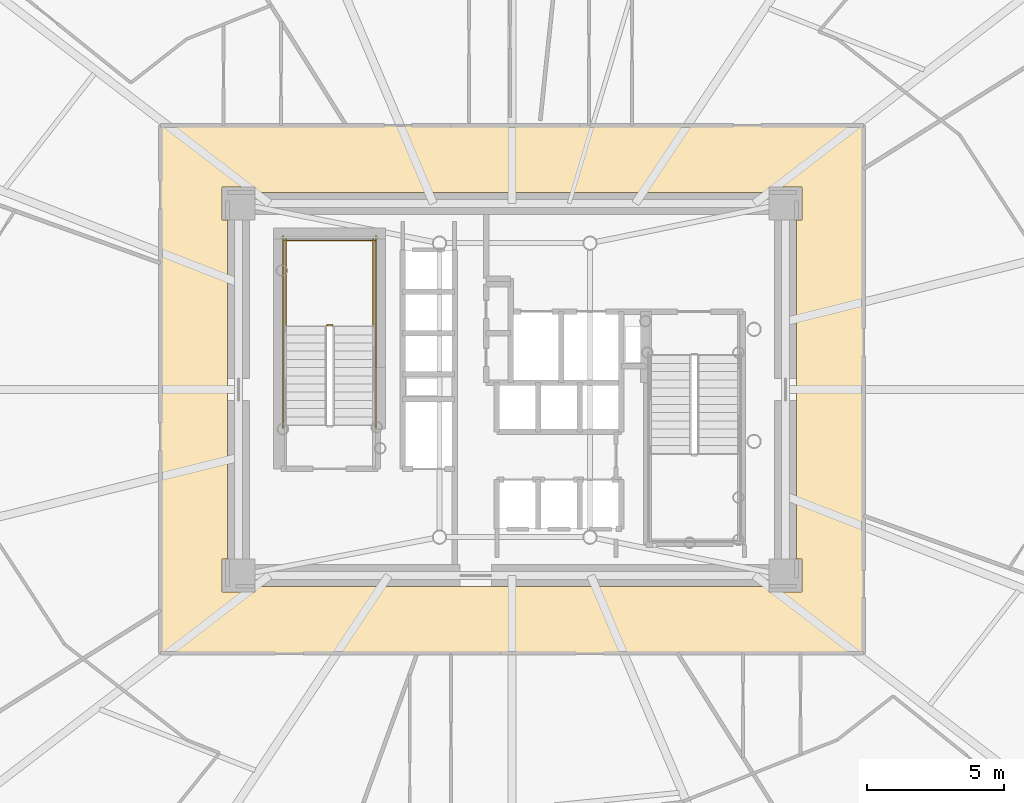
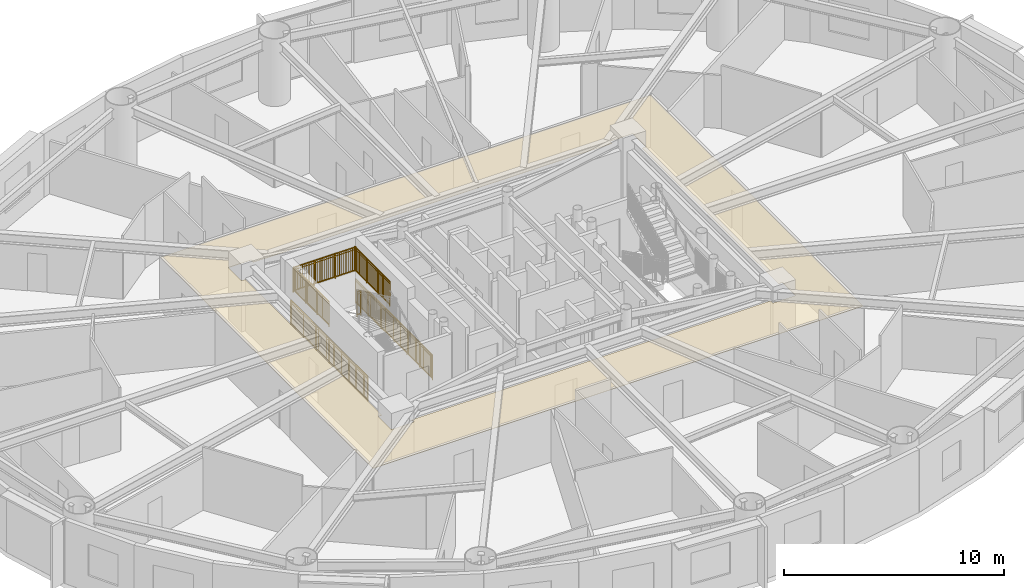
# One storey, part 15 of 18: 6 railings, 1 covering.
"""IFC4 building model written with IfcOpenShell, lengths in metres."""

from ifc_helpers import new_model, si_unit, direction, frame, origin, origin_2d, place, context, subcontext, project, spatial, polyline, rectangle, outline, extrude, source, transform, mapped, material, layer, layer_set, type_object, element, save


model = new_model("IFC4")

# Units and contexts
model_context = context("Model", 3, precision=1e-05, world=origin(), true_north=direction((0.0, 1.0)))
body_context = subcontext(model_context, "Body", "Model", "MODEL_VIEW")
ifc_project = project(units=[si_unit("LENGTHUNIT", "METRE"), si_unit("AREAUNIT", "SQUARE_METRE"), si_unit("VOLUMEUNIT", "CUBIC_METRE"), si_unit("PLANEANGLEUNIT", "RADIAN"), si_unit("MASSUNIT", "GRAM", prefix="KILO")], contexts=[model_context])

# Site, building, storey
site_placement = place(None, origin())
site = spatial("IfcSite", under=ifc_project, at=site_placement, CompositionType="ELEMENT")
building_placement = place(site_placement, origin())
building = spatial("IfcBuilding", under=site, at=building_placement, Name="Linh Dai School and Residence Tower", CompositionType="ELEMENT")
storey_placement = place(building_placement, frame((0.0, 0.0, 123.449951171875)))
storey = spatial("IfcBuildingStorey", under=building, at=storey_placement, Name="L29", CompositionType="ELEMENT", Elevation=123.449951171875)

# Covering
ifc_material_1 = material(Name="Mineral Fibre Acoustic Suspended Ceiling", Category="masonry")
ifc_layer = layer(ifc_material_1, 0.02001953125)
ifc_layer_set = layer_set([ifc_layer], Name="Mineral Fibre Acoustic Suspended Ceiling")
covering_type = type_object("IfcCoveringType", Name="COV-CEIL-AC-20", PredefinedType="CEILING", material=ifc_layer_set)
covering_placement = place(storey_placement, frame((0.0, 0.0, 2.85009765625)))
element("IfcCovering", 1, at=covering_placement, inside=storey, type_object=covering_type, Name="L29 Residential Floor Corridor Suspended Ceiling", PredefinedType="CEILING", context=body_context, shape_type="SweptSolid", body=[
    extrude(outline(polyline([(48.85009765625, 36.64990234375), (48.85009765625, 17.35009765625), (23.14990234375, 17.35009765625), (23.14990234375, 36.64990234375), (48.85009765625, 36.64990234375)]), holes=[polyline([(26.60009765625, 34.199951171875), (26.60009765625, 34.39990234375), (25.39990234375, 34.39990234375), (25.39990234375, 33.199951171875), (25.60009765625, 33.199951171875), (25.60009765625, 20.800048828125), (25.39990234375, 20.800048828125), (25.39990234375, 19.60009765625), (26.60009765625, 19.60009765625), (26.60009765625, 19.800048828125), (45.39990234375, 19.800048828125), (45.39990234375, 19.60009765625), (46.60009765625, 19.60009765625), (46.60009765625, 20.800048828125), (46.39990234375, 20.800048828125), (46.39990234375, 33.199951171875), (46.60009765625, 33.199951171875), (46.60009765625, 34.39990234375), (45.39990234375, 34.39990234375), (45.39990234375, 34.199951171875), (26.60009765625, 34.199951171875)])]), origin(), (0.0, 0.0, 1.0), 0.02001953125),
])

# Railings
ifc_material_2 = material(Name="Structural Steel S355JR", Category="steel")
railing_type = type_object("IfcRailingType", Name="RL-ST-GUARD-1400", PredefinedType="GUARDRAIL", material=ifc_material_2)
shared_shape_1 = source(origin(), body_context, "Body", "SweptSolid", [
    extrude(rectangle(XDim=0.048095703125, YDim=0.048095703125, at=origin_2d()), frame((0.0, 0.0, 1.3759765625), z_axis=(-1.0, 0.0, 0.0), x_axis=(0.0, -1.0, 0.0)), (0.0, 0.0, 1.0), 0.199951171875),
    extrude(rectangle(XDim=0.048095703125, YDim=0.048095703125, at=origin_2d()), frame((0.0, 0.0, 0.10009765625), z_axis=(-1.0, 0.0, 0.0), x_axis=(0.0, -1.0, 0.0)), (0.0, 0.0, 1.0), 0.199951171875),
    extrude(rectangle(XDim=0.030029296875, YDim=0.030029296875, at=origin_2d()), frame((0.0, 0.0, 1.239990234375), z_axis=(-1.0, 0.0, 0.0), x_axis=(0.0, -1.0, 0.0)), (0.0, 0.0, 1.0), 0.199951171875),
    extrude(rectangle(XDim=0.0419921875, YDim=0.0419921875, at=origin_2d()), origin(), (0.0, 0.0, 1.0), 1.3759765625),
    extrude(rectangle(XDim=0.0419921875, YDim=0.0419921875, at=origin_2d()), frame((-0.199951171875, 0.0, 0.0)), (0.0, 0.0, 1.0), 1.3759765625),
])
railing_1_placement = place(storey_placement, frame((29.429931640625, 29.35009765625, 1.875)))
element("IfcRailing", 2, at=railing_1_placement, inside=storey, type_object=railing_type, Name="L29 ST1 stair guard 2", PredefinedType="GUARDRAIL", context=body_context, shape_type="MappedRepresentation", body=[
    mapped(shared_shape_1, transform((0.0, 0.0, 0.0), x_axis=(1.0, 0.0, 0.0), y_axis=(0.0, 1.0, 0.0), z_axis=(0.0, 0.0, 1.0), scale=1.0)),
])
shared_shape_2 = source(origin(), body_context, "Body", "SweptSolid", [
    extrude(rectangle(XDim=0.048095703125, YDim=0.048095703125, at=origin_2d()), frame((0.0, 0.0, 1.3759765625), z_axis=(-1.0, 0.0, 0.0), x_axis=(0.0, -1.0, 0.0)), (0.0, 0.0, 1.0), 3.300048828125),
    extrude(rectangle(XDim=0.048095703125, YDim=0.048095703125, at=origin_2d()), frame((0.0, 0.0, 0.10009765625), z_axis=(-1.0, 0.0, 0.0), x_axis=(0.0, -1.0, 0.0)), (0.0, 0.0, 1.0), 3.300048828125),
    extrude(rectangle(XDim=0.030029296875, YDim=0.030029296875, at=origin_2d()), frame((0.0, 0.0, 1.239990234375), z_axis=(-1.0, 0.0, 0.0), x_axis=(0.0, -1.0, 0.0)), (0.0, 0.0, 1.0), 3.300048828125),
    extrude(rectangle(XDim=0.02001953125, YDim=0.02001953125, at=origin_2d()), frame((-0.09716796875, 0.0, 0.10009765625)), (0.0, 0.0, 1.0), 1.251708984375),
    extrude(rectangle(XDim=0.02001953125, YDim=0.02001953125, at=origin_2d()), frame((-0.194091796875, 0.0, 0.10009765625)), (0.0, 0.0, 1.0), 1.251708984375),
    extrude(rectangle(XDim=0.02001953125, YDim=0.02001953125, at=origin_2d()), frame((-0.291259765625, 0.0, 0.10009765625)), (0.0, 0.0, 1.0), 1.251708984375),
    extrude(rectangle(XDim=0.02001953125, YDim=0.02001953125, at=origin_2d()), frame((-0.38818359375, 0.0, 0.10009765625)), (0.0, 0.0, 1.0), 1.251708984375),
    extrude(rectangle(XDim=0.02001953125, YDim=0.02001953125, at=origin_2d()), frame((-0.4853515625, 0.0, 0.10009765625)), (0.0, 0.0, 1.0), 1.251708984375),
    extrude(rectangle(XDim=0.02001953125, YDim=0.02001953125, at=origin_2d()), frame((-0.582275390625, 0.0, 0.10009765625)), (0.0, 0.0, 1.0), 1.251708984375),
    extrude(rectangle(XDim=0.02001953125, YDim=0.02001953125, at=origin_2d()), frame((-0.679443359375, 0.0, 0.10009765625)), (0.0, 0.0, 1.0), 1.251708984375),
    extrude(rectangle(XDim=0.02001953125, YDim=0.02001953125, at=origin_2d()), frame((-0.7763671875, 0.0, 0.10009765625)), (0.0, 0.0, 1.0), 1.251708984375),
    extrude(rectangle(XDim=0.02001953125, YDim=0.02001953125, at=origin_2d()), frame((-0.87353515625, 0.0, 0.10009765625)), (0.0, 0.0, 1.0), 1.251708984375),
    extrude(rectangle(XDim=0.02001953125, YDim=0.02001953125, at=origin_2d()), frame((-0.970703125, 0.0, 0.10009765625)), (0.0, 0.0, 1.0), 1.251708984375),
    extrude(rectangle(XDim=0.02001953125, YDim=0.02001953125, at=origin_2d()), frame((-1.164794921875, 0.0, 0.10009765625)), (0.0, 0.0, 1.0), 1.251708984375),
    extrude(rectangle(XDim=0.02001953125, YDim=0.02001953125, at=origin_2d()), frame((-1.26171875, 0.0, 0.10009765625)), (0.0, 0.0, 1.0), 1.251708984375),
    extrude(rectangle(XDim=0.02001953125, YDim=0.02001953125, at=origin_2d()), frame((-1.35888671875, 0.0, 0.10009765625)), (0.0, 0.0, 1.0), 1.251708984375),
    extrude(rectangle(XDim=0.02001953125, YDim=0.02001953125, at=origin_2d()), frame((-1.455810546875, 0.0, 0.10009765625)), (0.0, 0.0, 1.0), 1.251708984375),
    extrude(rectangle(XDim=0.02001953125, YDim=0.02001953125, at=origin_2d()), frame((-1.552978515625, 0.0, 0.10009765625)), (0.0, 0.0, 1.0), 1.251708984375),
    extrude(rectangle(XDim=0.02001953125, YDim=0.02001953125, at=origin_2d()), frame((-1.64990234375, 0.0, 0.10009765625)), (0.0, 0.0, 1.0), 1.251708984375),
    extrude(rectangle(XDim=0.02001953125, YDim=0.02001953125, at=origin_2d()), frame((-1.7470703125, 0.0, 0.10009765625)), (0.0, 0.0, 1.0), 1.251708984375),
    extrude(rectangle(XDim=0.02001953125, YDim=0.02001953125, at=origin_2d()), frame((-1.84423828125, 0.0, 0.10009765625)), (0.0, 0.0, 1.0), 1.251708984375),
    extrude(rectangle(XDim=0.02001953125, YDim=0.02001953125, at=origin_2d()), frame((-1.941162109375, 0.0, 0.10009765625)), (0.0, 0.0, 1.0), 1.251708984375),
    extrude(rectangle(XDim=0.02001953125, YDim=0.02001953125, at=origin_2d()), frame((-2.038330078125, 0.0, 0.10009765625)), (0.0, 0.0, 1.0), 1.251708984375),
    extrude(rectangle(XDim=0.02001953125, YDim=0.02001953125, at=origin_2d()), frame((-2.13525390625, 0.0, 0.10009765625)), (0.0, 0.0, 1.0), 1.251708984375),
    extrude(rectangle(XDim=0.02001953125, YDim=0.02001953125, at=origin_2d()), frame((-2.329345703125, 0.0, 0.10009765625)), (0.0, 0.0, 1.0), 1.251708984375),
    extrude(rectangle(XDim=0.02001953125, YDim=0.02001953125, at=origin_2d()), frame((-2.426513671875, 0.0, 0.10009765625)), (0.0, 0.0, 1.0), 1.251708984375),
    extrude(rectangle(XDim=0.02001953125, YDim=0.02001953125, at=origin_2d()), frame((-2.523681640625, 0.0, 0.10009765625)), (0.0, 0.0, 1.0), 1.251708984375),
    extrude(rectangle(XDim=0.02001953125, YDim=0.02001953125, at=origin_2d()), frame((-2.62060546875, 0.0, 0.10009765625)), (0.0, 0.0, 1.0), 1.251708984375),
    extrude(rectangle(XDim=0.02001953125, YDim=0.02001953125, at=origin_2d()), frame((-2.7177734375, 0.0, 0.10009765625)), (0.0, 0.0, 1.0), 1.251708984375),
    extrude(rectangle(XDim=0.02001953125, YDim=0.02001953125, at=origin_2d()), frame((-2.814697265625, 0.0, 0.10009765625)), (0.0, 0.0, 1.0), 1.251708984375),
    extrude(rectangle(XDim=0.02001953125, YDim=0.02001953125, at=origin_2d()), frame((-2.911865234375, 0.0, 0.10009765625)), (0.0, 0.0, 1.0), 1.251708984375),
    extrude(rectangle(XDim=0.02001953125, YDim=0.02001953125, at=origin_2d()), frame((-3.0087890625, 0.0, 0.10009765625)), (0.0, 0.0, 1.0), 1.251708984375),
    extrude(rectangle(XDim=0.02001953125, YDim=0.02001953125, at=origin_2d()), frame((-3.10595703125, 0.0, 0.10009765625)), (0.0, 0.0, 1.0), 1.251708984375),
    extrude(rectangle(XDim=0.02001953125, YDim=0.02001953125, at=origin_2d()), frame((-3.202880859375, 0.0, 0.10009765625)), (0.0, 0.0, 1.0), 1.251708984375),
    extrude(rectangle(XDim=0.0419921875, YDim=0.0419921875, at=origin_2d()), origin(), (0.0, 0.0, 1.0), 1.3759765625),
    extrude(rectangle(XDim=0.0419921875, YDim=0.0419921875, at=origin_2d()), frame((-1.10009765625, 0.0, 0.0)), (0.0, 0.0, 1.0), 1.3759765625),
    extrude(rectangle(XDim=0.0419921875, YDim=0.0419921875, at=origin_2d()), frame((-2.199951171875, 0.0, 0.0)), (0.0, 0.0, 1.0), 1.3759765625),
    extrude(rectangle(XDim=0.0419921875, YDim=0.0419921875, at=origin_2d()), frame((-3.300048828125, 0.0, 0.0)), (0.0, 0.0, 1.0), 1.3759765625),
])
railing_2_placement = place(storey_placement, frame((30.97998046875, 32.449951171875, 1.875)))
element("IfcRailing", 3, at=railing_2_placement, inside=storey, type_object=railing_type, Name="L29 ST1 stair guard 5", PredefinedType="GUARDRAIL", context=body_context, shape_type="MappedRepresentation", body=[
    mapped(shared_shape_2, transform((0.0, 0.0, 0.0), x_axis=(1.0, 0.0, 0.0), y_axis=(0.0, 1.0, 0.0), z_axis=(0.0, 0.0, 1.0), scale=1.0)),
])
shared_shape_3 = source(origin(), body_context, "Body", "SweptSolid", [
    extrude(rectangle(XDim=0.048095703125, YDim=0.048095703125, at=origin_2d()), frame((0.0, 0.0, 1.3759765625), z_axis=(0.0, 1.0, 0.0), x_axis=(-1.0, 0.0, 0.0)), (0.0, 0.0, 1.0), 7.0),
    extrude(rectangle(XDim=0.048095703125, YDim=0.048095703125, at=origin_2d()), frame((0.0, 0.0, 0.10009765625), z_axis=(0.0, 1.0, 0.0), x_axis=(-1.0, 0.0, 0.0)), (0.0, 0.0, 1.0), 7.0),
    extrude(rectangle(XDim=0.030029296875, YDim=0.030029296875, at=origin_2d()), frame((0.0, 0.0, 1.239990234375), z_axis=(0.0, 1.0, 0.0), x_axis=(-1.0, 0.0, 0.0)), (0.0, 0.0, 1.0), 7.0),
    extrude(rectangle(XDim=0.02001953125, YDim=0.02001953125, at=origin_2d()), frame((0.0, 0.09716796875, 0.10009765625)), (0.0, 0.0, 1.0), 1.251708984375),
    extrude(rectangle(XDim=0.02001953125, YDim=0.02001953125, at=origin_2d()), frame((0.0, 0.1943359375, 0.10009765625)), (0.0, 0.0, 1.0), 1.251708984375),
    extrude(rectangle(XDim=0.02001953125, YDim=0.02001953125, at=origin_2d()), frame((0.0, 0.291748046875, 0.10009765625)), (0.0, 0.0, 1.0), 1.251708984375),
    extrude(rectangle(XDim=0.02001953125, YDim=0.02001953125, at=origin_2d()), frame((0.0, 0.388916015625, 0.10009765625)), (0.0, 0.0, 1.0), 1.251708984375),
    extrude(rectangle(XDim=0.02001953125, YDim=0.02001953125, at=origin_2d()), frame((0.0, 0.486083984375, 0.10009765625)), (0.0, 0.0, 1.0), 1.251708984375),
    extrude(rectangle(XDim=0.02001953125, YDim=0.02001953125, at=origin_2d()), frame((0.0, 0.583251953125, 0.10009765625)), (0.0, 0.0, 1.0), 1.251708984375),
    extrude(rectangle(XDim=0.02001953125, YDim=0.02001953125, at=origin_2d()), frame((0.0, 0.6806640625, 0.10009765625)), (0.0, 0.0, 1.0), 1.251708984375),
    extrude(rectangle(XDim=0.02001953125, YDim=0.02001953125, at=origin_2d()), frame((0.0, 0.77783203125, 0.10009765625)), (0.0, 0.0, 1.0), 1.251708984375),
    extrude(rectangle(XDim=0.02001953125, YDim=0.02001953125, at=origin_2d()), frame((0.0, 0.875, 0.10009765625)), (0.0, 0.0, 1.0), 1.251708984375),
    extrude(rectangle(XDim=0.02001953125, YDim=0.02001953125, at=origin_2d()), frame((0.0, 0.97216796875, 0.10009765625)), (0.0, 0.0, 1.0), 1.251708984375),
    extrude(rectangle(XDim=0.02001953125, YDim=0.02001953125, at=origin_2d()), frame((0.0, 1.0693359375, 0.10009765625)), (0.0, 0.0, 1.0), 1.251708984375),
    extrude(rectangle(XDim=0.02001953125, YDim=0.02001953125, at=origin_2d()), frame((0.0, 1.263916015625, 0.10009765625)), (0.0, 0.0, 1.0), 1.251708984375),
    extrude(rectangle(XDim=0.02001953125, YDim=0.02001953125, at=origin_2d()), frame((0.0, 1.361083984375, 0.10009765625)), (0.0, 0.0, 1.0), 1.251708984375),
    extrude(rectangle(XDim=0.02001953125, YDim=0.02001953125, at=origin_2d()), frame((0.0, 1.458251953125, 0.10009765625)), (0.0, 0.0, 1.0), 1.251708984375),
    extrude(rectangle(XDim=0.02001953125, YDim=0.02001953125, at=origin_2d()), frame((0.0, 1.5556640625, 0.10009765625)), (0.0, 0.0, 1.0), 1.251708984375),
    extrude(rectangle(XDim=0.02001953125, YDim=0.02001953125, at=origin_2d()), frame((0.0, 1.65283203125, 0.10009765625)), (0.0, 0.0, 1.0), 1.251708984375),
    extrude(rectangle(XDim=0.02001953125, YDim=0.02001953125, at=origin_2d()), frame((0.0, 1.75, 0.10009765625)), (0.0, 0.0, 1.0), 1.251708984375),
    extrude(rectangle(XDim=0.02001953125, YDim=0.02001953125, at=origin_2d()), frame((0.0, 1.84716796875, 0.10009765625)), (0.0, 0.0, 1.0), 1.251708984375),
    extrude(rectangle(XDim=0.02001953125, YDim=0.02001953125, at=origin_2d()), frame((0.0, 1.9443359375, 0.10009765625)), (0.0, 0.0, 1.0), 1.251708984375),
    extrude(rectangle(XDim=0.02001953125, YDim=0.02001953125, at=origin_2d()), frame((0.0, 2.041748046875, 0.10009765625)), (0.0, 0.0, 1.0), 1.251708984375),
    extrude(rectangle(XDim=0.02001953125, YDim=0.02001953125, at=origin_2d()), frame((0.0, 2.138916015625, 0.10009765625)), (0.0, 0.0, 1.0), 1.251708984375),
    extrude(rectangle(XDim=0.02001953125, YDim=0.02001953125, at=origin_2d()), frame((0.0, 2.236083984375, 0.10009765625)), (0.0, 0.0, 1.0), 1.251708984375),
    extrude(rectangle(XDim=0.02001953125, YDim=0.02001953125, at=origin_2d()), frame((0.0, 2.4306640625, 0.10009765625)), (0.0, 0.0, 1.0), 1.251708984375),
    extrude(rectangle(XDim=0.02001953125, YDim=0.02001953125, at=origin_2d()), frame((0.0, 2.52783203125, 0.10009765625)), (0.0, 0.0, 1.0), 1.251708984375),
    extrude(rectangle(XDim=0.02001953125, YDim=0.02001953125, at=origin_2d()), frame((0.0, 2.625, 0.10009765625)), (0.0, 0.0, 1.0), 1.251708984375),
    extrude(rectangle(XDim=0.02001953125, YDim=0.02001953125, at=origin_2d()), frame((0.0, 2.72216796875, 0.10009765625)), (0.0, 0.0, 1.0), 1.251708984375),
    extrude(rectangle(XDim=0.02001953125, YDim=0.02001953125, at=origin_2d()), frame((0.0, 2.8193359375, 0.10009765625)), (0.0, 0.0, 1.0), 1.251708984375),
    extrude(rectangle(XDim=0.02001953125, YDim=0.02001953125, at=origin_2d()), frame((0.0, 2.916748046875, 0.10009765625)), (0.0, 0.0, 1.0), 1.251708984375),
    extrude(rectangle(XDim=0.02001953125, YDim=0.02001953125, at=origin_2d()), frame((0.0, 3.013916015625, 0.10009765625)), (0.0, 0.0, 1.0), 1.251708984375),
    extrude(rectangle(XDim=0.02001953125, YDim=0.02001953125, at=origin_2d()), frame((0.0, 3.111083984375, 0.10009765625)), (0.0, 0.0, 1.0), 1.251708984375),
    extrude(rectangle(XDim=0.02001953125, YDim=0.02001953125, at=origin_2d()), frame((0.0, 3.208251953125, 0.10009765625)), (0.0, 0.0, 1.0), 1.251708984375),
    extrude(rectangle(XDim=0.02001953125, YDim=0.02001953125, at=origin_2d()), frame((0.0, 3.3056640625, 0.10009765625)), (0.0, 0.0, 1.0), 1.251708984375),
    extrude(rectangle(XDim=0.02001953125, YDim=0.02001953125, at=origin_2d()), frame((0.0, 3.40283203125, 0.10009765625)), (0.0, 0.0, 1.0), 1.251708984375),
    extrude(rectangle(XDim=0.02001953125, YDim=0.02001953125, at=origin_2d()), frame((0.0, 3.59716796875, 0.10009765625)), (0.0, 0.0, 1.0), 1.251708984375),
    extrude(rectangle(XDim=0.02001953125, YDim=0.02001953125, at=origin_2d()), frame((0.0, 3.6943359375, 0.10009765625)), (0.0, 0.0, 1.0), 1.251708984375),
    extrude(rectangle(XDim=0.02001953125, YDim=0.02001953125, at=origin_2d()), frame((0.0, 3.791748046875, 0.10009765625)), (0.0, 0.0, 1.0), 1.251708984375),
    extrude(rectangle(XDim=0.02001953125, YDim=0.02001953125, at=origin_2d()), frame((0.0, 3.888916015625, 0.10009765625)), (0.0, 0.0, 1.0), 1.251708984375),
    extrude(rectangle(XDim=0.02001953125, YDim=0.02001953125, at=origin_2d()), frame((0.0, 3.986083984375, 0.10009765625)), (0.0, 0.0, 1.0), 1.251708984375),
    extrude(rectangle(XDim=0.02001953125, YDim=0.02001953125, at=origin_2d()), frame((0.0, 4.083251953125, 0.10009765625)), (0.0, 0.0, 1.0), 1.251708984375),
    extrude(rectangle(XDim=0.02001953125, YDim=0.02001953125, at=origin_2d()), frame((0.0, 4.1806640625, 0.10009765625)), (0.0, 0.0, 1.0), 1.251708984375),
    extrude(rectangle(XDim=0.02001953125, YDim=0.02001953125, at=origin_2d()), frame((0.0, 4.27783203125, 0.10009765625)), (0.0, 0.0, 1.0), 1.251708984375),
    extrude(rectangle(XDim=0.02001953125, YDim=0.02001953125, at=origin_2d()), frame((0.0, 4.375, 0.10009765625)), (0.0, 0.0, 1.0), 1.251708984375),
    extrude(rectangle(XDim=0.02001953125, YDim=0.02001953125, at=origin_2d()), frame((0.0, 4.47216796875, 0.10009765625)), (0.0, 0.0, 1.0), 1.251708984375),
    extrude(rectangle(XDim=0.02001953125, YDim=0.02001953125, at=origin_2d()), frame((0.0, 4.5693359375, 0.10009765625)), (0.0, 0.0, 1.0), 1.251708984375),
    extrude(rectangle(XDim=0.02001953125, YDim=0.02001953125, at=origin_2d()), frame((0.0, 4.763916015625, 0.10009765625)), (0.0, 0.0, 1.0), 1.251708984375),
    extrude(rectangle(XDim=0.02001953125, YDim=0.02001953125, at=origin_2d()), frame((0.0, 4.861083984375, 0.10009765625)), (0.0, 0.0, 1.0), 1.251708984375),
    extrude(rectangle(XDim=0.02001953125, YDim=0.02001953125, at=origin_2d()), frame((0.0, 4.958251953125, 0.10009765625)), (0.0, 0.0, 1.0), 1.251708984375),
    extrude(rectangle(XDim=0.02001953125, YDim=0.02001953125, at=origin_2d()), frame((0.0, 5.0556640625, 0.10009765625)), (0.0, 0.0, 1.0), 1.251708984375),
    extrude(rectangle(XDim=0.02001953125, YDim=0.02001953125, at=origin_2d()), frame((0.0, 5.15283203125, 0.10009765625)), (0.0, 0.0, 1.0), 1.251708984375),
    extrude(rectangle(XDim=0.02001953125, YDim=0.02001953125, at=origin_2d()), frame((0.0, 5.25, 0.10009765625)), (0.0, 0.0, 1.0), 1.251708984375),
    extrude(rectangle(XDim=0.02001953125, YDim=0.02001953125, at=origin_2d()), frame((0.0, 5.34716796875, 0.10009765625)), (0.0, 0.0, 1.0), 1.251708984375),
    extrude(rectangle(XDim=0.02001953125, YDim=0.02001953125, at=origin_2d()), frame((0.0, 5.4443359375, 0.10009765625)), (0.0, 0.0, 1.0), 1.251708984375),
    extrude(rectangle(XDim=0.02001953125, YDim=0.02001953125, at=origin_2d()), frame((0.0, 5.541748046875, 0.10009765625)), (0.0, 0.0, 1.0), 1.251708984375),
    extrude(rectangle(XDim=0.02001953125, YDim=0.02001953125, at=origin_2d()), frame((0.0, 5.638916015625, 0.10009765625)), (0.0, 0.0, 1.0), 1.251708984375),
    extrude(rectangle(XDim=0.02001953125, YDim=0.02001953125, at=origin_2d()), frame((0.0, 5.736083984375, 0.10009765625)), (0.0, 0.0, 1.0), 1.251708984375),
    extrude(rectangle(XDim=0.02001953125, YDim=0.02001953125, at=origin_2d()), frame((0.0, 5.9306640625, 0.10009765625)), (0.0, 0.0, 1.0), 1.251708984375),
    extrude(rectangle(XDim=0.02001953125, YDim=0.02001953125, at=origin_2d()), frame((0.0, 6.02783203125, 0.10009765625)), (0.0, 0.0, 1.0), 1.251708984375),
    extrude(rectangle(XDim=0.02001953125, YDim=0.02001953125, at=origin_2d()), frame((0.0, 6.125, 0.10009765625)), (0.0, 0.0, 1.0), 1.251708984375),
    extrude(rectangle(XDim=0.02001953125, YDim=0.02001953125, at=origin_2d()), frame((0.0, 6.22216796875, 0.10009765625)), (0.0, 0.0, 1.0), 1.251708984375),
    extrude(rectangle(XDim=0.02001953125, YDim=0.02001953125, at=origin_2d()), frame((0.0, 6.3193359375, 0.10009765625)), (0.0, 0.0, 1.0), 1.251708984375),
    extrude(rectangle(XDim=0.02001953125, YDim=0.02001953125, at=origin_2d()), frame((0.0, 6.416748046875, 0.10009765625)), (0.0, 0.0, 1.0), 1.251708984375),
    extrude(rectangle(XDim=0.02001953125, YDim=0.02001953125, at=origin_2d()), frame((0.0, 6.513916015625, 0.10009765625)), (0.0, 0.0, 1.0), 1.251708984375),
    extrude(rectangle(XDim=0.02001953125, YDim=0.02001953125, at=origin_2d()), frame((0.0, 6.611083984375, 0.10009765625)), (0.0, 0.0, 1.0), 1.251708984375),
    extrude(rectangle(XDim=0.02001953125, YDim=0.02001953125, at=origin_2d()), frame((0.0, 6.708251953125, 0.10009765625)), (0.0, 0.0, 1.0), 1.251708984375),
    extrude(rectangle(XDim=0.02001953125, YDim=0.02001953125, at=origin_2d()), frame((0.0, 6.8056640625, 0.10009765625)), (0.0, 0.0, 1.0), 1.251708984375),
    extrude(rectangle(XDim=0.02001953125, YDim=0.02001953125, at=origin_2d()), frame((0.0, 6.90283203125, 0.10009765625)), (0.0, 0.0, 1.0), 1.251708984375),
    extrude(rectangle(XDim=0.0419921875, YDim=0.0419921875, at=origin_2d()), origin(), (0.0, 0.0, 1.0), 1.3759765625),
    extrude(rectangle(XDim=0.0419921875, YDim=0.0419921875, at=origin_2d()), frame((0.0, 1.166748046875, 0.0)), (0.0, 0.0, 1.0), 1.3759765625),
    extrude(rectangle(XDim=0.0419921875, YDim=0.0419921875, at=origin_2d()), frame((0.0, 2.333251953125, 0.0)), (0.0, 0.0, 1.0), 1.3759765625),
    extrude(rectangle(XDim=0.0419921875, YDim=0.0419921875, at=origin_2d()), frame((0.0, 3.5, 0.0)), (0.0, 0.0, 1.0), 1.3759765625),
    extrude(rectangle(XDim=0.0419921875, YDim=0.0419921875, at=origin_2d()), frame((0.0, 4.666748046875, 0.0)), (0.0, 0.0, 1.0), 1.3759765625),
    extrude(rectangle(XDim=0.0419921875, YDim=0.0419921875, at=origin_2d()), frame((0.0, 5.833251953125, 0.0)), (0.0, 0.0, 1.0), 1.3759765625),
    extrude(rectangle(XDim=0.0419921875, YDim=0.0419921875, at=origin_2d()), frame((0.0, 7.0, 0.0)), (0.0, 0.0, 1.0), 1.3759765625),
])
for number, where, name in (
    (4, (31.030029296875, 25.60009765625, 0.0), "L29 ST1 stair guard 10"),
    (5, (27.6298828125, 25.60009765625, 0.0), "L29 ST1 stair guard 11"),
):
    element("IfcRailing", number, at=place(storey_placement, frame(where)), inside=storey, type_object=railing_type, Name=name, PredefinedType="GUARDRAIL", context=body_context, shape_type="MappedRepresentation", body=[
        mapped(shared_shape_3, transform((0.0, 0.0, 0.0), x_axis=(1.0, 0.0, 0.0), y_axis=(0.0, 1.0, 0.0), z_axis=(0.0, 0.0, 1.0), scale=1.0)),
    ])
shared_shape_4 = source(origin(), body_context, "Body", "SweptSolid", [
    extrude(rectangle(XDim=0.048095703125, YDim=0.048095703125, at=origin_2d()), frame((0.0, 0.0, 1.3759765625), z_axis=(0.0, 1.0, 0.0), x_axis=(-1.0, 0.0, 0.0)), (0.0, 0.0, 1.0), 3.199951171875),
    extrude(rectangle(XDim=0.048095703125, YDim=0.048095703125, at=origin_2d()), frame((0.0, 0.0, 0.10009765625), z_axis=(0.0, 1.0, 0.0), x_axis=(-1.0, 0.0, 0.0)), (0.0, 0.0, 1.0), 3.199951171875),
    extrude(rectangle(XDim=0.030029296875, YDim=0.030029296875, at=origin_2d()), frame((0.0, 0.0, 1.239990234375), z_axis=(0.0, 1.0, 0.0), x_axis=(-1.0, 0.0, 0.0)), (0.0, 0.0, 1.0), 3.199951171875),
    extrude(rectangle(XDim=0.02001953125, YDim=0.02001953125, at=origin_2d()), frame((0.0, 0.096923828125, 0.10009765625)), (0.0, 0.0, 1.0), 1.251708984375),
    extrude(rectangle(XDim=0.02001953125, YDim=0.02001953125, at=origin_2d()), frame((0.0, 0.19384765625, 0.10009765625)), (0.0, 0.0, 1.0), 1.251708984375),
    extrude(rectangle(XDim=0.02001953125, YDim=0.02001953125, at=origin_2d()), frame((0.0, 0.291015625, 0.10009765625)), (0.0, 0.0, 1.0), 1.251708984375),
    extrude(rectangle(XDim=0.02001953125, YDim=0.02001953125, at=origin_2d()), frame((0.0, 0.387939453125, 0.10009765625)), (0.0, 0.0, 1.0), 1.251708984375),
    extrude(rectangle(XDim=0.02001953125, YDim=0.02001953125, at=origin_2d()), frame((0.0, 0.48486328125, 0.10009765625)), (0.0, 0.0, 1.0), 1.251708984375),
    extrude(rectangle(XDim=0.02001953125, YDim=0.02001953125, at=origin_2d()), frame((0.0, 0.581787109375, 0.10009765625)), (0.0, 0.0, 1.0), 1.251708984375),
    extrude(rectangle(XDim=0.02001953125, YDim=0.02001953125, at=origin_2d()), frame((0.0, 0.6787109375, 0.10009765625)), (0.0, 0.0, 1.0), 1.251708984375),
    extrude(rectangle(XDim=0.02001953125, YDim=0.02001953125, at=origin_2d()), frame((0.0, 0.775634765625, 0.10009765625)), (0.0, 0.0, 1.0), 1.251708984375),
    extrude(rectangle(XDim=0.02001953125, YDim=0.02001953125, at=origin_2d()), frame((0.0, 0.872802734375, 0.10009765625)), (0.0, 0.0, 1.0), 1.251708984375),
    extrude(rectangle(XDim=0.02001953125, YDim=0.02001953125, at=origin_2d()), frame((0.0, 0.9697265625, 0.10009765625)), (0.0, 0.0, 1.0), 1.251708984375),
    extrude(rectangle(XDim=0.02001953125, YDim=0.02001953125, at=origin_2d()), frame((0.0, 1.16357421875, 0.10009765625)), (0.0, 0.0, 1.0), 1.251708984375),
    extrude(rectangle(XDim=0.02001953125, YDim=0.02001953125, at=origin_2d()), frame((0.0, 1.260498046875, 0.10009765625)), (0.0, 0.0, 1.0), 1.251708984375),
    extrude(rectangle(XDim=0.02001953125, YDim=0.02001953125, at=origin_2d()), frame((0.0, 1.357666015625, 0.10009765625)), (0.0, 0.0, 1.0), 1.251708984375),
    extrude(rectangle(XDim=0.02001953125, YDim=0.02001953125, at=origin_2d()), frame((0.0, 1.45458984375, 0.10009765625)), (0.0, 0.0, 1.0), 1.251708984375),
    extrude(rectangle(XDim=0.02001953125, YDim=0.02001953125, at=origin_2d()), frame((0.0, 1.551513671875, 0.10009765625)), (0.0, 0.0, 1.0), 1.251708984375),
    extrude(rectangle(XDim=0.02001953125, YDim=0.02001953125, at=origin_2d()), frame((0.0, 1.6484375, 0.10009765625)), (0.0, 0.0, 1.0), 1.251708984375),
    extrude(rectangle(XDim=0.02001953125, YDim=0.02001953125, at=origin_2d()), frame((0.0, 1.745361328125, 0.10009765625)), (0.0, 0.0, 1.0), 1.251708984375),
    extrude(rectangle(XDim=0.02001953125, YDim=0.02001953125, at=origin_2d()), frame((0.0, 1.84228515625, 0.10009765625)), (0.0, 0.0, 1.0), 1.251708984375),
    extrude(rectangle(XDim=0.02001953125, YDim=0.02001953125, at=origin_2d()), frame((0.0, 1.939453125, 0.10009765625)), (0.0, 0.0, 1.0), 1.251708984375),
    extrude(rectangle(XDim=0.02001953125, YDim=0.02001953125, at=origin_2d()), frame((0.0, 2.036376953125, 0.10009765625)), (0.0, 0.0, 1.0), 1.251708984375),
    extrude(rectangle(XDim=0.02001953125, YDim=0.02001953125, at=origin_2d()), frame((0.0, 2.230224609375, 0.10009765625)), (0.0, 0.0, 1.0), 1.251708984375),
    extrude(rectangle(XDim=0.02001953125, YDim=0.02001953125, at=origin_2d()), frame((0.0, 2.3271484375, 0.10009765625)), (0.0, 0.0, 1.0), 1.251708984375),
    extrude(rectangle(XDim=0.02001953125, YDim=0.02001953125, at=origin_2d()), frame((0.0, 2.42431640625, 0.10009765625)), (0.0, 0.0, 1.0), 1.251708984375),
    extrude(rectangle(XDim=0.02001953125, YDim=0.02001953125, at=origin_2d()), frame((0.0, 2.521240234375, 0.10009765625)), (0.0, 0.0, 1.0), 1.251708984375),
    extrude(rectangle(XDim=0.02001953125, YDim=0.02001953125, at=origin_2d()), frame((0.0, 2.6181640625, 0.10009765625)), (0.0, 0.0, 1.0), 1.251708984375),
    extrude(rectangle(XDim=0.02001953125, YDim=0.02001953125, at=origin_2d()), frame((0.0, 2.715087890625, 0.10009765625)), (0.0, 0.0, 1.0), 1.251708984375),
    extrude(rectangle(XDim=0.02001953125, YDim=0.02001953125, at=origin_2d()), frame((0.0, 2.81201171875, 0.10009765625)), (0.0, 0.0, 1.0), 1.251708984375),
    extrude(rectangle(XDim=0.02001953125, YDim=0.02001953125, at=origin_2d()), frame((0.0, 2.908935546875, 0.10009765625)), (0.0, 0.0, 1.0), 1.251708984375),
    extrude(rectangle(XDim=0.02001953125, YDim=0.02001953125, at=origin_2d()), frame((0.0, 3.006103515625, 0.10009765625)), (0.0, 0.0, 1.0), 1.251708984375),
    extrude(rectangle(XDim=0.02001953125, YDim=0.02001953125, at=origin_2d()), frame((0.0, 3.10302734375, 0.10009765625)), (0.0, 0.0, 1.0), 1.251708984375),
    extrude(rectangle(XDim=0.0419921875, YDim=0.0419921875, at=origin_2d()), origin(), (0.0, 0.0, 1.0), 1.3759765625),
    extrude(rectangle(XDim=0.0419921875, YDim=0.0419921875, at=origin_2d()), frame((0.0, 1.066650390625, 0.0)), (0.0, 0.0, 1.0), 1.3759765625),
    extrude(rectangle(XDim=0.0419921875, YDim=0.0419921875, at=origin_2d()), frame((0.0, 2.13330078125, 0.0)), (0.0, 0.0, 1.0), 1.3759765625),
    extrude(rectangle(XDim=0.0419921875, YDim=0.0419921875, at=origin_2d()), frame((0.0, 3.199951171875, 0.0)), (0.0, 0.0, 1.0), 1.3759765625),
])
for number, where, name in (
    (6, (30.929931640625, 29.300048828125, 1.875), "L29 ST1 stair guard 3"),
    (7, (27.72998046875, 29.300048828125, 1.875), "L29 ST1 stair guard 4"),
):
    element("IfcRailing", number, at=place(storey_placement, frame(where)), inside=storey, type_object=railing_type, Name=name, PredefinedType="GUARDRAIL", context=body_context, shape_type="MappedRepresentation", body=[
        mapped(shared_shape_4, transform((0.0, 0.0, 0.0), x_axis=(1.0, 0.0, 0.0), y_axis=(0.0, 1.0, 0.0), z_axis=(0.0, 0.0, 1.0), scale=1.0)),
    ])

save(model, "model.ifc")
